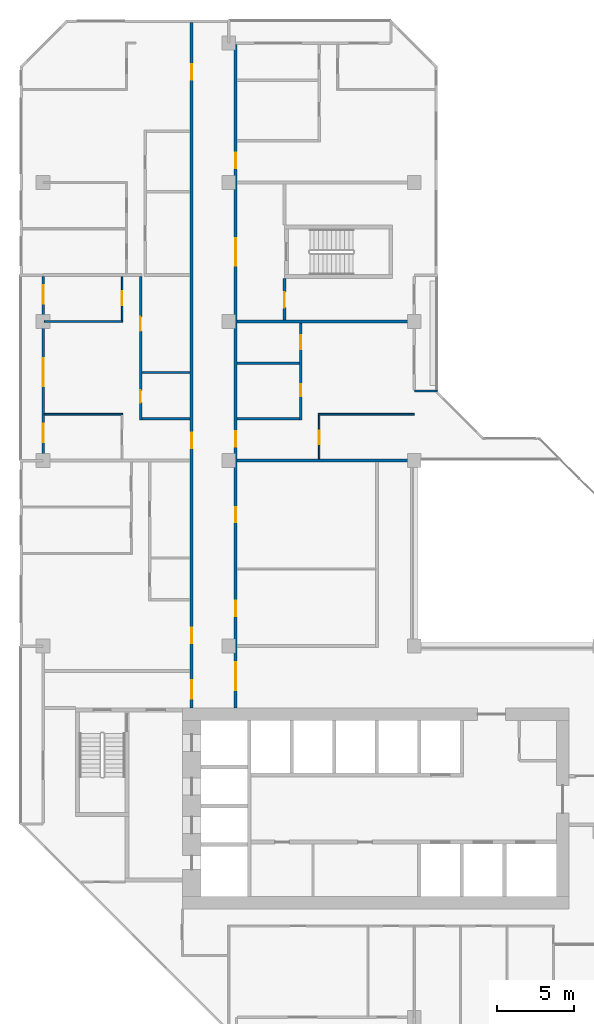
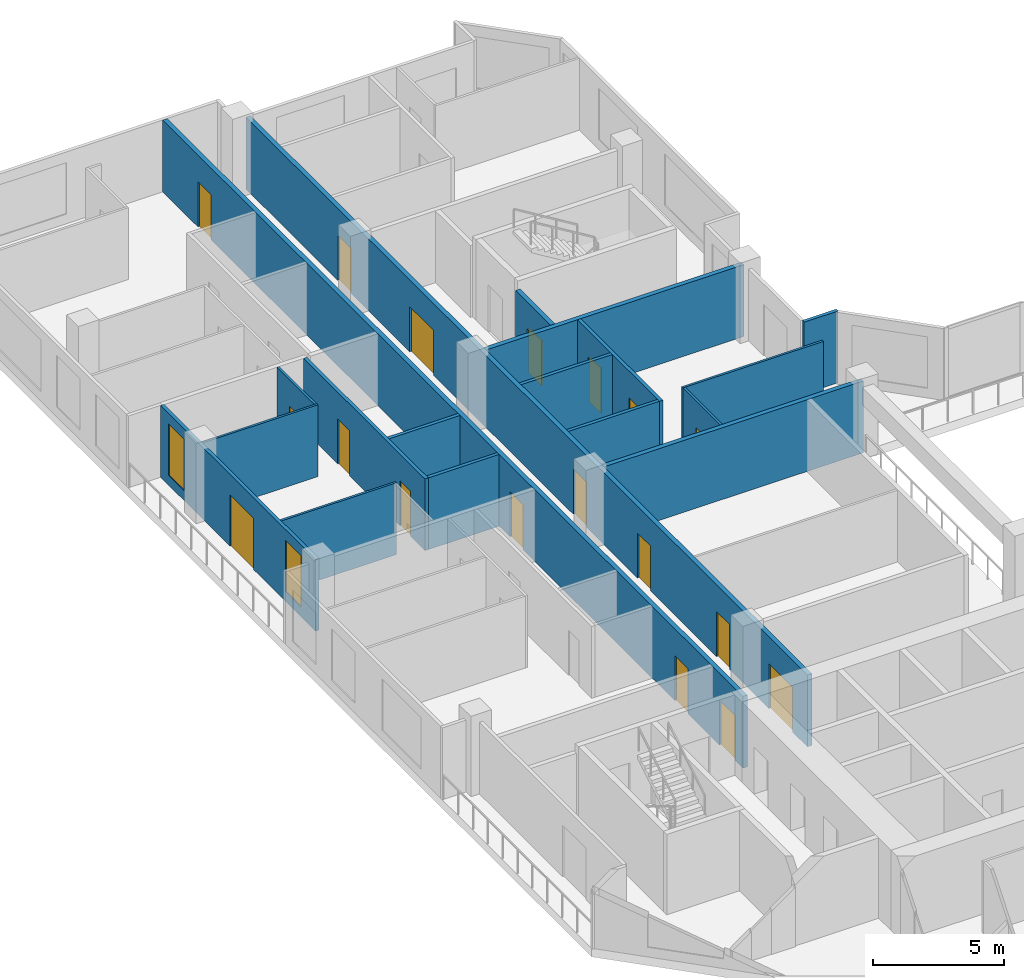
# One storey, part 9 of 14: 18 doors, 18 walls, 2 windows, 20 openings.
"""IFC4 building model written with IfcOpenShell, lengths in metres."""

from ifc_helpers import new_model, si_unit, direction, frame, frame_2d, origin, place, context, subcontext, project, spatial, rectangle, extrude, material, layer, layer_set, type_object, element, fill, save


model = new_model("IFC4")

# Units and contexts
model_context = context("Model", 3, precision=1e-05, world=origin(), true_north=direction((0.0, 1.0)))
body_context = subcontext(model_context, "Body", "Model", "MODEL_VIEW")
ifc_project = project(units=[si_unit("LENGTHUNIT", "METRE"), si_unit("AREAUNIT", "SQUARE_METRE"), si_unit("VOLUMEUNIT", "CUBIC_METRE"), si_unit("PLANEANGLEUNIT", "RADIAN"), si_unit("MASSUNIT", "GRAM", prefix="KILO")], contexts=[model_context])

# Site, building, storey
site_placement = place(None, origin())
site = spatial("IfcSite", under=ifc_project, at=site_placement, CompositionType="ELEMENT")
building_placement = place(site_placement, origin())
building = spatial("IfcBuilding", under=site, at=building_placement, Name="Chenar Terraces", CompositionType="ELEMENT")
storey_placement = place(building_placement, frame((0.0, 0.0, 183.64990234375)))
storey = spatial("IfcBuildingStorey", under=building, at=storey_placement, Name="L42", CompositionType="ELEMENT", Elevation=183.64990234375)

# Wall, openings, doors
ifc_material_1 = material(Name="Gypsum board on steel studs with fire boards", Category="steel")
ifc_layer_1 = layer(ifc_material_1, 0.199951171875)
ifc_layer_set_1 = layer_set([ifc_layer_1], Name="Gypsum board on steel studs with fire boards")
wall_type_1 = type_object("IfcWallType", Name="Corridor wall 200", PredefinedType="PARTITIONING", material=ifc_layer_set_1)
wall_1_placement = place(storey_placement, frame((9.60009765625, 20.0, 0.0), z_axis=(0.0, 0.0, 1.0), x_axis=(0.0, 1.0, 0.0)))
wall_1 = element("IfcWall", 1, at=wall_1_placement, inside=storey, type_object=wall_type_1, Name="Partition L42-031", PredefinedType="PARTITIONING", context=body_context, shape_type="SweptSolid", body=[
    extrude(rectangle(XDim=44.35009765625, YDim=0.199951171875, at=frame_2d((22.175048828125, 0.0))), origin(), (0.0, 0.0, 1.0), 3.35009765625),
])
opening_1_placement = place(wall_1_placement, frame((16.800048828125, 0.0, 0.0)))
opening_1 = element("IfcOpeningElement", 2, at=opening_1_placement, cuts=wall_1, Name="Opening DL42-27", PredefinedType="OPENING", context=body_context, shape_type="SweptSolid", body=[
    extrude(rectangle(XDim=1.0, YDim=2.10009765625, at=frame_2d((0.5, 1.050048828125))), frame((0.0, 0.10986328125, 0.0), z_axis=(0.0, -1.0, 0.0), x_axis=(1.0, 0.0, 0.0)), (0.0, 0.0, 1.0), 0.219970703125),
])
opening_2_placement = place(wall_1_placement, frame((40.64990234375, 0.0, 0.0)))
opening_2 = element("IfcOpeningElement", 3, at=opening_2_placement, cuts=wall_1, Name="Opening DL42-32", PredefinedType="OPENING", context=body_context, shape_type="SweptSolid", body=[
    extrude(rectangle(XDim=1.0, YDim=2.10009765625, at=frame_2d((0.5, 1.050048828125))), frame((0.0, 0.10986328125, 0.0), z_axis=(0.0, -1.0, 0.0), x_axis=(1.0, 0.0, 0.0)), (0.0, 0.0, 1.0), 0.219970703125),
])
opening_3_placement = place(wall_1_placement, frame((0.60009765625, 0.0, 0.0)))
opening_3 = element("IfcOpeningElement", 4, at=opening_3_placement, cuts=wall_1, Name="Opening DL42-36", PredefinedType="OPENING", context=body_context, shape_type="SweptSolid", body=[
    extrude(rectangle(XDim=1.199951171875, YDim=2.10009765625, at=frame_2d((0.60009765625, 1.050048828125))), frame((0.0, 0.10986328125, 0.0), z_axis=(0.0, -1.0, 0.0), x_axis=(1.0, 0.0, 0.0)), (0.0, 0.0, 1.0), 0.219970703125),
])
opening_4_placement = place(wall_1_placement, frame((4.199951171875, 0.0, 0.0)))
opening_4 = element("IfcOpeningElement", 5, at=opening_4_placement, cuts=wall_1, Name="Opening DL42-57", PredefinedType="OPENING", context=body_context, shape_type="SweptSolid", body=[
    extrude(rectangle(XDim=1.0, YDim=2.10009765625, at=frame_2d((0.5, 1.050048828125))), frame((0.0, 0.10986328125, 0.0), z_axis=(0.0, -1.0, 0.0), x_axis=(1.0, 0.0, 0.0)), (0.0, 0.0, 1.0), 0.219970703125),
])
ifc_material_2 = material(Name="Steel-framed fire-resisting door leaf", Category="steel")
door_type_1 = type_object("IfcDoorType", Name="Fire door FD30S 1000 x 2100", OperationType="SINGLE_SWING_LEFT", PredefinedType="DOOR", material=ifc_material_2)
door_1_placement = place(opening_1_placement, origin())
door_1 = element("IfcDoor", 6, at=door_1_placement, inside=storey, type_object=door_type_1, Name="Door DL42-27", OperationType="SINGLE_SWING_LEFT", OverallHeight=2.10009765625, OverallWidth=1.0, PredefinedType="DOOR", context=body_context, shape_type="SweptSolid", body=[
    extrude(rectangle(XDim=1.0, YDim=2.10009765625, at=frame_2d((0.5, 1.050048828125))), frame((0.0, 0.02490234375, 0.0), z_axis=(0.0, -1.0, 0.0), x_axis=(1.0, 0.0, 0.0)), (0.0, 0.0, 1.0), 0.050048828125),
])
fill(opening_1, door_1)
door_2_placement = place(opening_2_placement, origin())
door_2 = element("IfcDoor", 7, at=door_2_placement, inside=storey, type_object=door_type_1, Name="Door DL42-32", OperationType="SINGLE_SWING_RIGHT", OverallHeight=2.10009765625, OverallWidth=1.0, PredefinedType="DOOR", context=body_context, shape_type="SweptSolid", body=[
    extrude(rectangle(XDim=1.0, YDim=2.10009765625, at=frame_2d((0.5, 1.050048828125))), frame((0.0, 0.02490234375, 0.0), z_axis=(0.0, -1.0, 0.0), x_axis=(1.0, 0.0, 0.0)), (0.0, 0.0, 1.0), 0.050048828125),
])
fill(opening_2, door_2)
door_3_placement = place(opening_4_placement, origin())
door_3 = element("IfcDoor", 8, at=door_3_placement, inside=storey, type_object=door_type_1, Name="Door DL42-57", OperationType="SINGLE_SWING_RIGHT", OverallHeight=2.10009765625, OverallWidth=1.0, PredefinedType="DOOR", context=body_context, shape_type="SweptSolid", body=[
    extrude(rectangle(XDim=1.0, YDim=2.10009765625, at=frame_2d((0.5, 1.050048828125))), frame((0.0, 0.02490234375, 0.0), z_axis=(0.0, -1.0, 0.0), x_axis=(1.0, 0.0, 0.0)), (0.0, 0.0, 1.0), 0.050048828125),
])
fill(opening_4, door_3)
ifc_material_3 = material(Name="Steel-framed fire-resisting door leaf", Category="steel")
door_type_2 = type_object("IfcDoorType", Name="Fire door FD30S 1200 x 2100", OperationType="SINGLE_SWING_LEFT", PredefinedType="DOOR", material=ifc_material_3)
door_4_placement = place(opening_3_placement, origin())
door_4 = element("IfcDoor", 9, at=door_4_placement, inside=storey, type_object=door_type_2, Name="Door DL42-36", OperationType="SINGLE_SWING_RIGHT", OverallHeight=2.10009765625, OverallWidth=1.199951171875, PredefinedType="DOOR", context=body_context, shape_type="SweptSolid", body=[
    extrude(rectangle(XDim=1.199951171875, YDim=2.10009765625, at=frame_2d((0.60009765625, 1.050048828125))), frame((0.0, 0.02490234375, 0.0), z_axis=(0.0, -1.0, 0.0), x_axis=(1.0, 0.0, 0.0)), (0.0, 0.0, 1.0), 0.050048828125),
])
fill(opening_3, door_4)

wall_2_placement = place(storey_placement, frame((12.449951171875, 20.0, 0.0), z_axis=(0.0, 0.0, 1.0), x_axis=(0.0, 1.0, 0.0)))
wall_2 = element("IfcWall", 10, at=wall_2_placement, inside=storey, type_object=wall_type_1, Name="Partition L42-034", PredefinedType="PARTITIONING", context=body_context, shape_type="SweptSolid", body=[
    extrude(rectangle(XDim=42.926025390625, YDim=0.199951171875, at=frame_2d((21.462890625, 0.0))), origin(), (0.0, 0.0, 1.0), 3.35009765625),
])
opening_5_placement = place(wall_2_placement, frame((5.949951171875, 0.0, 0.0)))
opening_5 = element("IfcOpeningElement", 11, at=opening_5_placement, cuts=wall_2, Name="Opening DL42-1", PredefinedType="OPENING", context=body_context, shape_type="SweptSolid", body=[
    extrude(rectangle(XDim=1.0, YDim=2.10009765625, at=frame_2d((0.5, 1.050048828125))), frame((0.0, 0.10986328125, 0.0), z_axis=(0.0, -1.0, 0.0), x_axis=(1.0, 0.0, 0.0)), (0.0, 0.0, 1.0), 0.219970703125),
])
opening_6_placement = place(wall_2_placement, frame((12.0, 0.0, 0.0)))
opening_6 = element("IfcOpeningElement", 12, at=opening_6_placement, cuts=wall_2, Name="Opening DL42-2", PredefinedType="OPENING", context=body_context, shape_type="SweptSolid", body=[
    extrude(rectangle(XDim=1.0, YDim=2.10009765625, at=frame_2d((0.5, 1.050048828125))), frame((0.0, 0.10986328125, 0.0), z_axis=(0.0, -1.0, 0.0), x_axis=(1.0, 0.0, 0.0)), (0.0, 0.0, 1.0), 0.219970703125),
])
opening_7_placement = place(wall_2_placement, frame((16.89990234375, 0.0, 0.0)))
opening_7 = element("IfcOpeningElement", 13, at=opening_7_placement, cuts=wall_2, Name="Opening DL42-18", PredefinedType="OPENING", context=body_context, shape_type="SweptSolid", body=[
    extrude(rectangle(XDim=1.0, YDim=2.10009765625, at=frame_2d((0.5, 1.050048828125))), frame((0.0, 0.10986328125, 0.0), z_axis=(0.0, -1.0, 0.0), x_axis=(1.0, 0.0, 0.0)), (0.0, 0.0, 1.0), 0.219970703125),
])
opening_8_placement = place(wall_2_placement, frame((34.89990234375, 0.0, 0.0)))
opening_8 = element("IfcOpeningElement", 14, at=opening_8_placement, cuts=wall_2, Name="Opening DL42-22", PredefinedType="OPENING", context=body_context, shape_type="SweptSolid", body=[
    extrude(rectangle(XDim=1.0, YDim=2.10009765625, at=frame_2d((0.5, 1.050048828125))), frame((0.0, 0.10986328125, 0.0), z_axis=(0.0, -1.0, 0.0), x_axis=(1.0, 0.0, 0.0)), (0.0, 0.0, 1.0), 0.219970703125),
])
opening_9_placement = place(wall_2_placement, frame((1.14990234375, 0.0, 0.0)))
opening_9 = element("IfcOpeningElement", 15, at=opening_9_placement, cuts=wall_2, Name="Opening DL42-35", PredefinedType="OPENING", context=body_context, shape_type="SweptSolid", body=[
    extrude(rectangle(XDim=1.800048828125, YDim=2.10009765625, at=frame_2d((0.89990234375, 1.050048828125))), frame((0.0, 0.10986328125, 0.0), z_axis=(0.0, -1.0, 0.0), x_axis=(1.0, 0.0, 0.0)), (0.0, 0.0, 1.0), 0.219970703125),
])
opening_10_placement = place(wall_2_placement, frame((28.60009765625, 0.0, 0.0)))
opening_10 = element("IfcOpeningElement", 16, at=opening_10_placement, cuts=wall_2, Name="Opening DL42-37", PredefinedType="OPENING", context=body_context, shape_type="SweptSolid", body=[
    extrude(rectangle(XDim=1.800048828125, YDim=2.10009765625, at=frame_2d((0.89990234375, 1.050048828125))), frame((0.0, 0.10986328125, 0.0), z_axis=(0.0, -1.0, 0.0), x_axis=(1.0, 0.0, 0.0)), (0.0, 0.0, 1.0), 0.219970703125),
])
ifc_material_4 = material(Name="Steel-framed fire-resisting door leaf", Category="steel")
door_type_3 = type_object("IfcDoorType", Name="Fire door FD60 1000 x 2100", OperationType="SINGLE_SWING_LEFT", PredefinedType="DOOR", material=ifc_material_4)
door_5_placement = place(opening_5_placement, frame((1.0, 0.0, 0.0), z_axis=(0.0, 0.0, 1.0), x_axis=(-1.0, 0.0, 0.0)))
door_5 = element("IfcDoor", 17, at=door_5_placement, inside=storey, type_object=door_type_3, Name="Door DL42-1", OperationType="SINGLE_SWING_LEFT", OverallHeight=2.10009765625, OverallWidth=1.0, PredefinedType="DOOR", context=body_context, shape_type="SweptSolid", body=[
    extrude(rectangle(XDim=1.0, YDim=2.10009765625, at=frame_2d((0.5, 1.050048828125))), frame((0.0, 0.02490234375, 0.0), z_axis=(0.0, -1.0, 0.0), x_axis=(1.0, 0.0, 0.0)), (0.0, 0.0, 1.0), 0.050048828125),
])
fill(opening_5, door_5)
door_6_placement = place(opening_6_placement, frame((1.0, 0.0, 0.0), z_axis=(0.0, 0.0, 1.0), x_axis=(-1.0, 0.0, 0.0)))
door_6 = element("IfcDoor", 18, at=door_6_placement, inside=storey, type_object=door_type_3, Name="Door DL42-2", OperationType="SINGLE_SWING_LEFT", OverallHeight=2.10009765625, OverallWidth=1.0, PredefinedType="DOOR", context=body_context, shape_type="SweptSolid", body=[
    extrude(rectangle(XDim=1.0, YDim=2.10009765625, at=frame_2d((0.5, 1.050048828125))), frame((0.0, 0.02490234375, 0.0), z_axis=(0.0, -1.0, 0.0), x_axis=(1.0, 0.0, 0.0)), (0.0, 0.0, 1.0), 0.050048828125),
])
fill(opening_6, door_6)
door_7_placement = place(opening_7_placement, frame((1.0, 0.0, 0.0), z_axis=(0.0, 0.0, 1.0), x_axis=(-1.0, 0.0, 0.0)))
door_7 = element("IfcDoor", 19, at=door_7_placement, inside=storey, type_object=door_type_3, Name="Door DL42-18", OperationType="SINGLE_SWING_LEFT", OverallHeight=2.10009765625, OverallWidth=1.0, PredefinedType="DOOR", context=body_context, shape_type="SweptSolid", body=[
    extrude(rectangle(XDim=1.0, YDim=2.10009765625, at=frame_2d((0.5, 1.050048828125))), frame((0.0, 0.02490234375, 0.0), z_axis=(0.0, -1.0, 0.0), x_axis=(1.0, 0.0, 0.0)), (0.0, 0.0, 1.0), 0.050048828125),
])
fill(opening_7, door_7)
door_8_placement = place(opening_8_placement, frame((1.0, 0.0, 0.0), z_axis=(0.0, 0.0, 1.0), x_axis=(-1.0, 0.0, 0.0)))
door_8 = element("IfcDoor", 20, at=door_8_placement, inside=storey, type_object=door_type_3, Name="Door DL42-22", OperationType="SINGLE_SWING_LEFT", OverallHeight=2.10009765625, OverallWidth=1.0, PredefinedType="DOOR", context=body_context, shape_type="SweptSolid", body=[
    extrude(rectangle(XDim=1.0, YDim=2.10009765625, at=frame_2d((0.5, 1.050048828125))), frame((0.0, 0.02490234375, 0.0), z_axis=(0.0, -1.0, 0.0), x_axis=(1.0, 0.0, 0.0)), (0.0, 0.0, 1.0), 0.050048828125),
])
fill(opening_8, door_8)
ifc_material_5 = material(Name="Steel-framed fire-resisting door leaf", Category="steel")
door_type_4 = type_object("IfcDoorType", Name="Fire double door FD60 1800 x 2100", OperationType="DOUBLE_DOOR_SINGLE_SWING", PredefinedType="DOOR", material=ifc_material_5)
door_9_placement = place(opening_9_placement, frame((1.800048828125, 0.0, 0.0), z_axis=(0.0, 0.0, 1.0), x_axis=(-1.0, 0.0, 0.0)))
door_9 = element("IfcDoor", 21, at=door_9_placement, inside=storey, type_object=door_type_4, Name="Door DL42-35", OperationType="DOUBLE_DOOR_SINGLE_SWING", OverallHeight=2.10009765625, OverallWidth=1.800048828125, PredefinedType="DOOR", context=body_context, shape_type="SweptSolid", body=[
    extrude(rectangle(XDim=1.800048828125, YDim=2.10009765625, at=frame_2d((0.89990234375, 1.050048828125))), frame((0.0, 0.02490234375, 0.0), z_axis=(0.0, -1.0, 0.0), x_axis=(1.0, 0.0, 0.0)), (0.0, 0.0, 1.0), 0.050048828125),
])
fill(opening_9, door_9)
door_10_placement = place(opening_10_placement, frame((1.800048828125, 0.0, 0.0), z_axis=(0.0, 0.0, 1.0), x_axis=(-1.0, 0.0, 0.0)))
door_10 = element("IfcDoor", 22, at=door_10_placement, inside=storey, type_object=door_type_4, Name="Door DL42-37", OperationType="DOUBLE_DOOR_SINGLE_SWING", OverallHeight=2.10009765625, OverallWidth=1.800048828125, PredefinedType="DOOR", context=body_context, shape_type="SweptSolid", body=[
    extrude(rectangle(XDim=1.800048828125, YDim=2.10009765625, at=frame_2d((0.89990234375, 1.050048828125))), frame((0.0, 0.02490234375, 0.0), z_axis=(0.0, -1.0, 0.0), x_axis=(1.0, 0.0, 0.0)), (0.0, 0.0, 1.0), 0.050048828125),
])
fill(opening_10, door_10)

# Wall, opening, door
wall_3_placement = place(storey_placement, frame((15.60009765625, 45.10009765625, 0.0), z_axis=(0.0, 0.0, 1.0), x_axis=(0.0, 1.0, 0.0)))
wall_3 = element("IfcWall", 23, at=wall_3_placement, inside=storey, type_object=wall_type_1, Name="Partition L42-044", PredefinedType="PARTITIONING", context=body_context, shape_type="SweptSolid", body=[
    extrude(rectangle(XDim=2.6748046875, YDim=0.199951171875, at=frame_2d((1.33740234375, 0.0))), origin(), (0.0, 0.0, 1.0), 3.35009765625),
])
opening_11_placement = place(wall_3_placement, frame((0.800048828125, 0.0, 0.0)))
opening_11 = element("IfcOpeningElement", 24, at=opening_11_placement, cuts=wall_3, Name="Opening DL42-39", PredefinedType="OPENING", context=body_context, shape_type="SweptSolid", body=[
    extrude(rectangle(XDim=1.0, YDim=2.10009765625, at=frame_2d((0.5, 1.050048828125))), frame((0.0, 0.10986328125, 0.0), z_axis=(0.0, -1.0, 0.0), x_axis=(1.0, 0.0, 0.0)), (0.0, 0.0, 1.0), 0.219970703125),
])
door_11_placement = place(opening_11_placement, frame((1.0, 0.0, 0.0), z_axis=(0.0, 0.0, 1.0), x_axis=(-1.0, 0.0, 0.0)))
door_11 = element("IfcDoor", 25, at=door_11_placement, inside=storey, type_object=door_type_3, Name="Door DL42-39", OperationType="SINGLE_SWING_RIGHT", OverallHeight=2.10009765625, OverallWidth=1.0, PredefinedType="DOOR", context=body_context, shape_type="SweptSolid", body=[
    extrude(rectangle(XDim=1.0, YDim=2.10009765625, at=frame_2d((0.5, 1.050048828125))), frame((0.0, 0.02490234375, 0.0), z_axis=(0.0, -1.0, 0.0), x_axis=(1.0, 0.0, 0.0)), (0.0, 0.0, 1.0), 0.050048828125),
])
fill(opening_11, door_11)

# Wall, openings, windows, door
ifc_material_6 = material(Name="Aluminium framed glazing", Category="aluminium")
ifc_layer_2 = layer(ifc_material_6, 0.14990234375)
ifc_layer_set_2 = layer_set([ifc_layer_2], Name="Aluminium framed glazing")
wall_type_2 = type_object("IfcWallType", Name="Glazed loggia back wall 150", PredefinedType="SOLIDWALL", material=ifc_layer_set_2)
wall_4_placement = place(storey_placement, frame((0.0, 47.925048828125, 0.0), z_axis=(0.0, 0.0, 1.0), x_axis=(0.0, -1.0, 0.0)))
wall_4 = element("IfcWall", 26, at=wall_4_placement, inside=storey, type_object=wall_type_2, Name="Glazed loggia back wall", PredefinedType="SOLIDWALL", context=body_context, shape_type="SweptSolid", body=[
    extrude(rectangle(XDim=11.85009765625, YDim=0.14990234375, at=frame_2d((5.925048828125, 0.0))), origin(), (0.0, 0.0, 1.0), 3.35009765625),
])
opening_12_placement = place(wall_4_placement, frame((0.58740234375, 0.0, 0.449951171875)))
opening_12 = element("IfcOpeningElement", 27, at=opening_12_placement, cuts=wall_4, Name="Opening W120x240", PredefinedType="OPENING", context=body_context, shape_type="SweptSolid", body=[
    extrude(rectangle(XDim=1.199951171875, YDim=2.39990234375, at=frame_2d((0.60009765625, 1.199951171875))), frame((0.0, 0.0849609375, 0.0), z_axis=(0.0, -1.0, 0.0), x_axis=(1.0, 0.0, 0.0)), (0.0, 0.0, 1.0), 0.169921875),
])
opening_13_placement = place(wall_4_placement, frame((5.300048828125, 0.0, 0.0)))
opening_13 = element("IfcOpeningElement", 28, at=opening_13_placement, cuts=wall_4, Name="Opening DL42-G3", PredefinedType="OPENING", context=body_context, shape_type="SweptSolid", body=[
    extrude(rectangle(XDim=1.800048828125, YDim=2.39990234375, at=frame_2d((0.89990234375, 1.199951171875))), frame((0.0, 0.0849609375, 0.0), z_axis=(0.0, -1.0, 0.0), x_axis=(1.0, 0.0, 0.0)), (0.0, 0.0, 1.0), 0.169921875),
])
opening_14_placement = place(wall_4_placement, frame((9.550048828125, 0.0, 0.449951171875)))
opening_14 = element("IfcOpeningElement", 29, at=opening_14_placement, cuts=wall_4, Name="Opening W120x240", PredefinedType="OPENING", context=body_context, shape_type="SweptSolid", body=[
    extrude(rectangle(XDim=1.199951171875, YDim=2.39990234375, at=frame_2d((0.60009765625, 1.199951171875))), frame((0.0, 0.0849609375, 0.0), z_axis=(0.0, -1.0, 0.0), x_axis=(1.0, 0.0, 0.0)), (0.0, 0.0, 1.0), 0.169921875),
])
ifc_material_7 = material(Name="Low emissivity double glazing, aluminium frame", Category="aluminium")
window_type = type_object("IfcWindowType", Name="Fixed light 1200 x 2400", PartitioningType="SINGLE_PANEL", PredefinedType="WINDOW", material=ifc_material_7)
window_1_placement = place(opening_12_placement, origin())
window_1 = element("IfcWindow", 30, at=window_1_placement, inside=storey, type_object=window_type, Name="Window", OverallHeight=2.39990234375, OverallWidth=1.199951171875, PartitioningType="SINGLE_PANEL", PredefinedType="WINDOW", context=body_context, shape_type="SweptSolid", body=[
    extrude(rectangle(XDim=1.199951171875, YDim=2.39990234375, at=frame_2d((0.60009765625, 1.199951171875))), frame((0.0, 0.030029296875, 0.0), z_axis=(0.0, -1.0, 0.0), x_axis=(1.0, 0.0, 0.0)), (0.0, 0.0, 1.0), 0.06005859375),
])
fill(opening_12, window_1)
window_2_placement = place(opening_14_placement, origin())
window_2 = element("IfcWindow", 31, at=window_2_placement, inside=storey, type_object=window_type, Name="Window", OverallHeight=2.39990234375, OverallWidth=1.199951171875, PartitioningType="SINGLE_PANEL", PredefinedType="WINDOW", context=body_context, shape_type="SweptSolid", body=[
    extrude(rectangle(XDim=1.199951171875, YDim=2.39990234375, at=frame_2d((0.60009765625, 1.199951171875))), frame((0.0, 0.030029296875, 0.0), z_axis=(0.0, -1.0, 0.0), x_axis=(1.0, 0.0, 0.0)), (0.0, 0.0, 1.0), 0.06005859375),
])
fill(opening_14, window_2)
ifc_material_8 = material(Name="Low emissivity double glazing, aluminium frame", Category="aluminium")
door_type_5 = type_object("IfcDoorType", Name="Loggia glazed double door 1800 x 2400", OperationType="DOUBLE_DOOR_SINGLE_SWING", PredefinedType="DOOR", material=ifc_material_8)
door_12_placement = place(opening_13_placement, frame((1.800048828125, 0.0, 0.0), z_axis=(0.0, 0.0, 1.0), x_axis=(-1.0, 0.0, 0.0)))
door_12 = element("IfcDoor", 32, at=door_12_placement, inside=storey, type_object=door_type_5, Name="Loggia glazed door", OperationType="DOUBLE_DOOR_SINGLE_SWING", OverallHeight=2.39990234375, OverallWidth=1.800048828125, PredefinedType="DOOR", context=body_context, shape_type="SweptSolid", body=[
    extrude(rectangle(XDim=1.800048828125, YDim=2.39990234375, at=frame_2d((0.89990234375, 1.199951171875))), frame((0.0, 0.02490234375, 0.0), z_axis=(0.0, -1.0, 0.0), x_axis=(1.0, 0.0, 0.0)), (0.0, 0.0, 1.0), 0.050048828125),
])
fill(opening_13, door_12)

# Walls
ifc_material_9 = material(Name="Gypsum board on steel studs", Category="steel")
ifc_layer_3 = layer(ifc_material_9, 0.10009765625)
ifc_layer_set_3 = layer_set([ifc_layer_3], Name="Gypsum board on steel studs")
wall_type_3 = type_object("IfcWallType", Name="Gypsum partition 100", PredefinedType="PARTITIONING", material=ifc_layer_set_3)
for number, where, z_axis, x_axis, name in (
    (33, (0.073974609375, 39.0, 0.0), (0.0, 0.0, 1.0), (1.0, 0.0, 0.0), "Partition L42-010"),
    (34, (0.073974609375, 45.0, 0.0), (0.0, 0.0, 1.0), (1.0, 0.0, 0.0), "Partition L42-011"),
):
    element("IfcWall", number, at=place(storey_placement, frame(where, z_axis=z_axis, x_axis=x_axis)), inside=storey, type_object=wall_type_3, Name=name, PredefinedType="PARTITIONING", context=body_context, shape_type="SweptSolid", body=[
        extrude(rectangle(XDim=5.075927734375, YDim=0.10009765625, at=frame_2d((2.5380859375, 0.0))), origin(), (0.0, 0.0, 1.0), 3.35009765625),
    ])

# Wall, opening, door
wall_5_placement = place(storey_placement, frame((5.10009765625, 45.050048828125, 0.0), z_axis=(0.0, 0.0, 1.0), x_axis=(0.0, 1.0, 0.0)))
wall_5 = element("IfcWall", 35, at=wall_5_placement, inside=storey, type_object=wall_type_3, Name="Partition L42-014", PredefinedType="PARTITIONING", context=body_context, shape_type="SweptSolid", body=[
    extrude(rectangle(XDim=2.849853515625, YDim=0.10009765625, at=frame_2d((1.4248046875, 0.0))), origin(), (0.0, 0.0, 1.0), 3.35009765625),
])
opening_15_placement = place(wall_5_placement, frame((1.0, 0.0, 0.0)))
opening_15 = element("IfcOpeningElement", 36, at=opening_15_placement, cuts=wall_5, Name="Opening DL42-25", PredefinedType="OPENING", context=body_context, shape_type="SweptSolid", body=[
    extrude(rectangle(XDim=0.89990234375, YDim=2.10009765625, at=frame_2d((0.449951171875, 1.050048828125))), frame((0.0, 0.06005859375, 0.0), z_axis=(0.0, -1.0, 0.0), x_axis=(1.0, 0.0, 0.0)), (0.0, 0.0, 1.0), 0.1201171875),
])
ifc_material_10 = material(Name="Veneered timber door leaf", Category="wood")
door_type_6 = type_object("IfcDoorType", Name="Door 900 x 2100", OperationType="SINGLE_SWING_LEFT", PredefinedType="DOOR", material=ifc_material_10)
door_13_placement = place(opening_15_placement, origin())
door_13 = element("IfcDoor", 37, at=door_13_placement, inside=storey, type_object=door_type_6, Name="Door DL42-25", OperationType="SINGLE_SWING_RIGHT", OverallHeight=2.10009765625, OverallWidth=0.89990234375, PredefinedType="DOOR", context=body_context, shape_type="SweptSolid", body=[
    extrude(rectangle(XDim=0.89990234375, YDim=2.10009765625, at=frame_2d((0.449951171875, 1.050048828125))), frame((0.0, 0.02490234375, 0.0), z_axis=(0.0, -1.0, 0.0), x_axis=(1.0, 0.0, 0.0)), (0.0, 0.0, 1.0), 0.050048828125),
])
fill(opening_15, door_13)

# Wall
wall_6_placement = place(storey_placement, frame((17.800048828125, 39.0, 0.0), z_axis=(0.0, 0.0, 1.0), x_axis=(1.0, 0.0, 0.0)))
element("IfcWall", 38, at=wall_6_placement, inside=storey, type_object=wall_type_3, Name="Partition L42-047", PredefinedType="PARTITIONING", context=body_context, shape_type="SweptSolid", body=[
    extrude(rectangle(XDim=6.199951171875, YDim=0.10009765625, at=frame_2d((3.10009765625, 0.0))), origin(), (0.0, 0.0, 1.0), 3.35009765625),
])

# Wall, opening, door
wall_7_placement = place(storey_placement, frame((17.85009765625, 36.10009765625, 0.0), z_axis=(0.0, 0.0, 1.0), x_axis=(0.0, 1.0, 0.0)))
wall_7 = element("IfcWall", 39, at=wall_7_placement, inside=storey, type_object=wall_type_3, Name="Partition L42-048", PredefinedType="PARTITIONING", context=body_context, shape_type="SweptSolid", body=[
    extrude(rectangle(XDim=2.849853515625, YDim=0.10009765625, at=frame_2d((1.4248046875, 0.0))), origin(), (0.0, 0.0, 1.0), 3.35009765625),
])
opening_16_placement = place(wall_7_placement, frame((0.949951171875, 0.0, 0.0)))
opening_16 = element("IfcOpeningElement", 40, at=opening_16_placement, cuts=wall_7, Name="Opening DL42-16", PredefinedType="OPENING", context=body_context, shape_type="SweptSolid", body=[
    extrude(rectangle(XDim=0.89990234375, YDim=2.10009765625, at=frame_2d((0.449951171875, 1.050048828125))), frame((0.0, 0.06005859375, 0.0), z_axis=(0.0, -1.0, 0.0), x_axis=(1.0, 0.0, 0.0)), (0.0, 0.0, 1.0), 0.1201171875),
])
door_14_placement = place(opening_16_placement, frame((0.89990234375, 0.0, 0.0), z_axis=(0.0, 0.0, 1.0), x_axis=(-1.0, 0.0, 0.0)))
door_14 = element("IfcDoor", 41, at=door_14_placement, inside=storey, type_object=door_type_6, Name="Door DL42-16", OperationType="SINGLE_SWING_LEFT", OverallHeight=2.10009765625, OverallWidth=0.89990234375, PredefinedType="DOOR", context=body_context, shape_type="SweptSolid", body=[
    extrude(rectangle(XDim=0.89990234375, YDim=2.10009765625, at=frame_2d((0.449951171875, 1.050048828125))), frame((0.0, 0.02490234375, 0.0), z_axis=(0.0, -1.0, 0.0), x_axis=(1.0, 0.0, 0.0)), (0.0, 0.0, 1.0), 0.050048828125),
])
fill(opening_16, door_14)

# Walls
ifc_material_11 = material(Name="Terracotta cladding on insulated backing", Category="masonry")
ifc_layer_4 = layer(ifc_material_11, 0.14990234375)
ifc_layer_set_4 = layer_set([ifc_layer_4], Name="Terracotta cladding on insulated backing")
wall_type_4 = type_object("IfcWallType", Name="Loggia return wall 150", PredefinedType="SOLIDWALL", material=ifc_layer_set_4)
wall_8_placement = place(storey_placement, frame((25.5, 40.5, 0.0), z_axis=(0.0, 0.0, 1.0), x_axis=(-1.0, 0.0, 0.0)))
element("IfcWall", 42, at=wall_8_placement, inside=storey, type_object=wall_type_4, Name="Loggia return wall", PredefinedType="SOLIDWALL", context=body_context, shape_type="SweptSolid", body=[
    extrude(rectangle(XDim=1.5, YDim=0.14990234375, at=frame_2d((0.75, 0.0))), origin(), (0.0, 0.0, 1.0), 3.35009765625),
])
ifc_material_12 = material(Name="Twin gypsum board on steel studs with mineral wool", Category="steel")
ifc_layer_5 = layer(ifc_material_12, 0.199951171875)
ifc_layer_set_5 = layer_set([ifc_layer_5], Name="Twin gypsum board on steel studs with mineral wool")
wall_type_5 = type_object("IfcWallType", Name="Unit demising wall 200", PredefinedType="PARTITIONING", material=ifc_layer_set_5)
wall_9_placement = place(storey_placement, frame((12.550048828125, 36.0, 0.0), z_axis=(0.0, 0.0, 1.0), x_axis=(1.0, 0.0, 0.0)))
element("IfcWall", 43, at=wall_9_placement, inside=storey, type_object=wall_type_5, Name="Partition L42-037", PredefinedType="PARTITIONING", context=body_context, shape_type="SweptSolid", body=[
    extrude(rectangle(XDim=11.449951171875, YDim=0.199951171875, at=frame_2d((5.72509765625, 0.0))), origin(), (0.0, 0.0, 1.0), 3.35009765625),
])
wall_10_placement = place(storey_placement, frame((12.550048828125, 45.0, 0.0), z_axis=(0.0, 0.0, 1.0), x_axis=(1.0, 0.0, 0.0)))
element("IfcWall", 44, at=wall_10_placement, inside=storey, type_object=wall_type_5, Name="Partition L42-040", PredefinedType="PARTITIONING", context=body_context, shape_type="SweptSolid", body=[
    extrude(rectangle(XDim=11.3759765625, YDim=0.199951171875, at=frame_2d((5.68798828125, 0.0))), origin(), (0.0, 0.0, 1.0), 3.35009765625),
])

# Wall, openings, doors
ifc_material_13 = material(Name="Moisture-resistant gypsum board on steel studs", Category="steel")
ifc_layer_6 = layer(ifc_material_13, 0.14990234375)
ifc_layer_set_6 = layer_set([ifc_layer_6], Name="Moisture-resistant gypsum board on steel studs")
wall_type_6 = type_object("IfcWallType", Name="Wet-room partition 150", PredefinedType="PARTITIONING", material=ifc_layer_set_6)
wall_11_placement = place(storey_placement, frame((6.300048828125, 38.625, 0.0), z_axis=(0.0, 0.0, 1.0), x_axis=(0.0, 1.0, 0.0)))
wall_11 = element("IfcWall", 45, at=wall_11_placement, inside=storey, type_object=wall_type_6, Name="Partition L42-019", PredefinedType="PARTITIONING", context=body_context, shape_type="SweptSolid", body=[
    extrude(rectangle(XDim=9.27490234375, YDim=0.14990234375, at=frame_2d((4.637451171875, 0.0))), origin(), (0.0, 0.0, 1.0), 3.35009765625),
])
opening_17_placement = place(wall_11_placement, frame((1.125, 0.0, 0.0)))
opening_17 = element("IfcOpeningElement", 46, at=opening_17_placement, cuts=wall_11, Name="Opening DL42-23", PredefinedType="OPENING", context=body_context, shape_type="SweptSolid", body=[
    extrude(rectangle(XDim=0.800048828125, YDim=2.10009765625, at=frame_2d((0.39990234375, 1.050048828125))), frame((0.0, 0.0849609375, 0.0), z_axis=(0.0, -1.0, 0.0), x_axis=(1.0, 0.0, 0.0)), (0.0, 0.0, 1.0), 0.169921875),
])
opening_18_placement = place(wall_11_placement, frame((5.77490234375, 0.0, 0.0)))
opening_18 = element("IfcOpeningElement", 47, at=opening_18_placement, cuts=wall_11, Name="Opening DL42-26", PredefinedType="OPENING", context=body_context, shape_type="SweptSolid", body=[
    extrude(rectangle(XDim=0.89990234375, YDim=2.10009765625, at=frame_2d((0.449951171875, 1.050048828125))), frame((0.0, 0.0849609375, 0.0), z_axis=(0.0, -1.0, 0.0), x_axis=(1.0, 0.0, 0.0)), (0.0, 0.0, 1.0), 0.169921875),
])
ifc_material_14 = material(Name="Veneered timber door leaf", Category="wood")
door_type_7 = type_object("IfcDoorType", Name="Door 800 x 2100", OperationType="SINGLE_SWING_LEFT", PredefinedType="DOOR", material=ifc_material_14)
door_15_placement = place(opening_17_placement, frame((0.800048828125, 0.0, 0.0), z_axis=(0.0, 0.0, 1.0), x_axis=(-1.0, 0.0, 0.0)))
door_15 = element("IfcDoor", 48, at=door_15_placement, inside=storey, type_object=door_type_7, Name="Door DL42-23", OperationType="SINGLE_SWING_RIGHT", OverallHeight=2.10009765625, OverallWidth=0.800048828125, PredefinedType="DOOR", context=body_context, shape_type="SweptSolid", body=[
    extrude(rectangle(XDim=0.800048828125, YDim=2.10009765625, at=frame_2d((0.39990234375, 1.050048828125))), frame((0.0, 0.02490234375, 0.0), z_axis=(0.0, -1.0, 0.0), x_axis=(1.0, 0.0, 0.0)), (0.0, 0.0, 1.0), 0.050048828125),
])
fill(opening_17, door_15)
door_16_placement = place(opening_18_placement, frame((0.89990234375, 0.0, 0.0), z_axis=(0.0, 0.0, 1.0), x_axis=(-1.0, 0.0, 0.0)))
door_16 = element("IfcDoor", 49, at=door_16_placement, inside=storey, type_object=door_type_6, Name="Door DL42-26", OperationType="SINGLE_SWING_LEFT", OverallHeight=2.10009765625, OverallWidth=0.89990234375, PredefinedType="DOOR", context=body_context, shape_type="SweptSolid", body=[
    extrude(rectangle(XDim=0.89990234375, YDim=2.10009765625, at=frame_2d((0.449951171875, 1.050048828125))), frame((0.0, 0.02490234375, 0.0), z_axis=(0.0, -1.0, 0.0), x_axis=(1.0, 0.0, 0.0)), (0.0, 0.0, 1.0), 0.050048828125),
])
fill(opening_18, door_16)

# Walls
for number, where, z_axis, x_axis, name in (
    (50, (6.375, 38.699951171875, 0.0), (0.0, 0.0, 1.0), (1.0, 0.0, 0.0), "Partition L42-020"),
    (51, (6.375, 41.699951171875, 0.0), (0.0, 0.0, 1.0), (1.0, 0.0, 0.0), "Partition L42-021"),
):
    element("IfcWall", number, at=place(storey_placement, frame(where, z_axis=z_axis, x_axis=x_axis)), inside=storey, type_object=wall_type_6, Name=name, PredefinedType="PARTITIONING", context=body_context, shape_type="SweptSolid", body=[
        extrude(rectangle(XDim=3.125, YDim=0.14990234375, at=frame_2d((1.5625, 0.0))), origin(), (0.0, 0.0, 1.0), 3.35009765625),
    ])
for number, where, z_axis, x_axis, name in (
    (52, (12.550048828125, 38.699951171875, 0.0), (0.0, 0.0, 1.0), (1.0, 0.0, 0.0), "Partition L42-038"),
    (53, (12.550048828125, 42.300048828125, 0.0), (0.0, 0.0, 1.0), (1.0, 0.0, 0.0), "Partition L42-039"),
):
    element("IfcWall", number, at=place(storey_placement, frame(where, z_axis=z_axis, x_axis=x_axis)), inside=storey, type_object=wall_type_6, Name=name, PredefinedType="PARTITIONING", context=body_context, shape_type="SweptSolid", body=[
        extrude(rectangle(XDim=4.02490234375, YDim=0.14990234375, at=frame_2d((2.012451171875, 0.0))), origin(), (0.0, 0.0, 1.0), 3.35009765625),
    ])

# Wall, openings, doors
wall_12_placement = place(storey_placement, frame((16.64990234375, 38.625, 0.0), z_axis=(0.0, 0.0, 1.0), x_axis=(0.0, 1.0, 0.0)))
wall_12 = element("IfcWall", 54, at=wall_12_placement, inside=storey, type_object=wall_type_6, Name="Partition L42-046", PredefinedType="PARTITIONING", context=body_context, shape_type="SweptSolid", body=[
    extrude(rectangle(XDim=6.27490234375, YDim=0.14990234375, at=frame_2d((3.137451171875, 0.0))), origin(), (0.0, 0.0, 1.0), 3.35009765625),
])
opening_19_placement = place(wall_12_placement, frame((1.52490234375, 0.0, 0.0)))
opening_19 = element("IfcOpeningElement", 55, at=opening_19_placement, cuts=wall_12, Name="Opening DL42-15", PredefinedType="OPENING", context=body_context, shape_type="SweptSolid", body=[
    extrude(rectangle(XDim=0.800048828125, YDim=2.10009765625, at=frame_2d((0.39990234375, 1.050048828125))), frame((0.0, 0.0849609375, 0.0), z_axis=(0.0, -1.0, 0.0), x_axis=(1.0, 0.0, 0.0)), (0.0, 0.0, 1.0), 0.169921875),
])
opening_20_placement = place(wall_12_placement, frame((4.574951171875, 0.0, 0.0)))
opening_20 = element("IfcOpeningElement", 56, at=opening_20_placement, cuts=wall_12, Name="Opening DL42-17", PredefinedType="OPENING", context=body_context, shape_type="SweptSolid", body=[
    extrude(rectangle(XDim=0.89990234375, YDim=2.10009765625, at=frame_2d((0.449951171875, 1.050048828125))), frame((0.0, 0.0849609375, 0.0), z_axis=(0.0, -1.0, 0.0), x_axis=(1.0, 0.0, 0.0)), (0.0, 0.0, 1.0), 0.169921875),
])
door_17_placement = place(opening_19_placement, origin())
door_17 = element("IfcDoor", 57, at=door_17_placement, inside=storey, type_object=door_type_7, Name="Door DL42-15", OperationType="SINGLE_SWING_RIGHT", OverallHeight=2.10009765625, OverallWidth=0.800048828125, PredefinedType="DOOR", context=body_context, shape_type="SweptSolid", body=[
    extrude(rectangle(XDim=0.800048828125, YDim=2.10009765625, at=frame_2d((0.39990234375, 1.050048828125))), frame((0.0, 0.02490234375, 0.0), z_axis=(0.0, -1.0, 0.0), x_axis=(1.0, 0.0, 0.0)), (0.0, 0.0, 1.0), 0.050048828125),
])
fill(opening_19, door_17)
door_18_placement = place(opening_20_placement, origin())
door_18 = element("IfcDoor", 58, at=door_18_placement, inside=storey, type_object=door_type_6, Name="Door DL42-17", OperationType="SINGLE_SWING_RIGHT", OverallHeight=2.10009765625, OverallWidth=0.89990234375, PredefinedType="DOOR", context=body_context, shape_type="SweptSolid", body=[
    extrude(rectangle(XDim=0.89990234375, YDim=2.10009765625, at=frame_2d((0.449951171875, 1.050048828125))), frame((0.0, 0.02490234375, 0.0), z_axis=(0.0, -1.0, 0.0), x_axis=(1.0, 0.0, 0.0)), (0.0, 0.0, 1.0), 0.050048828125),
])
fill(opening_20, door_18)

save(model, "model.ifc")
